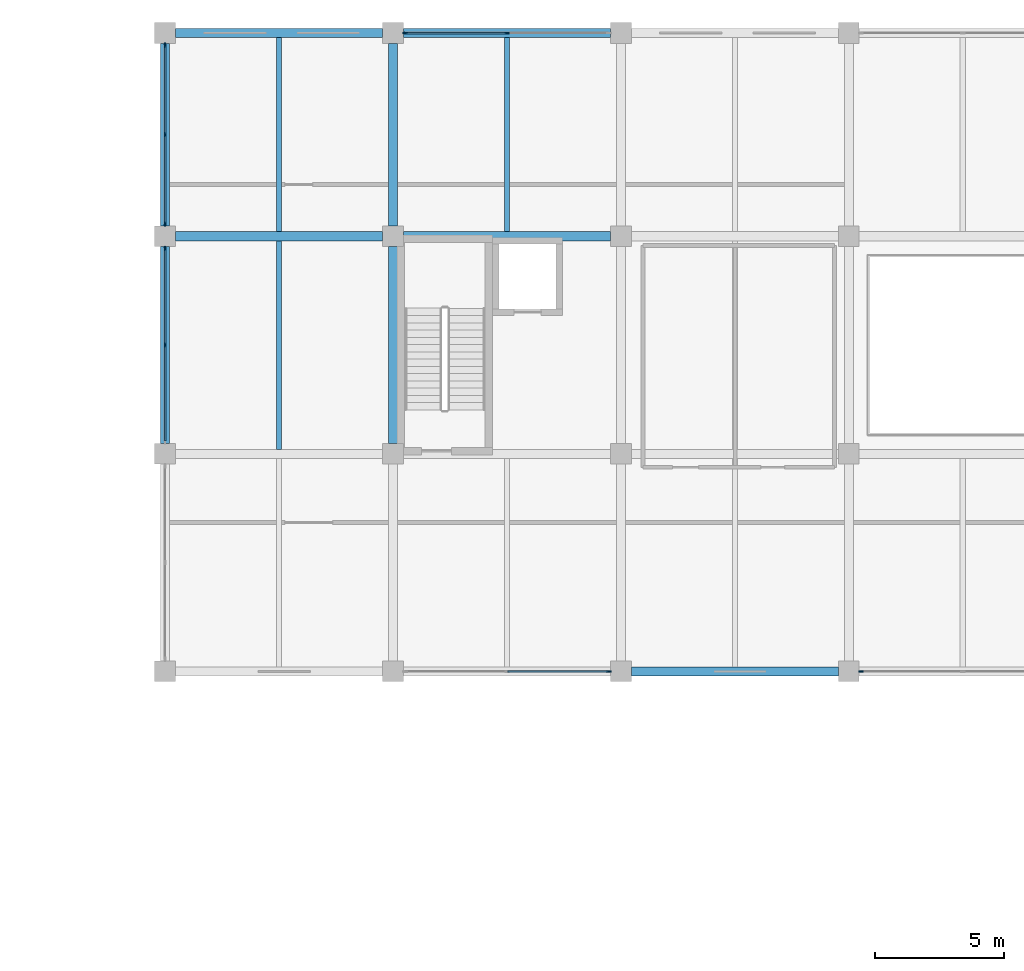
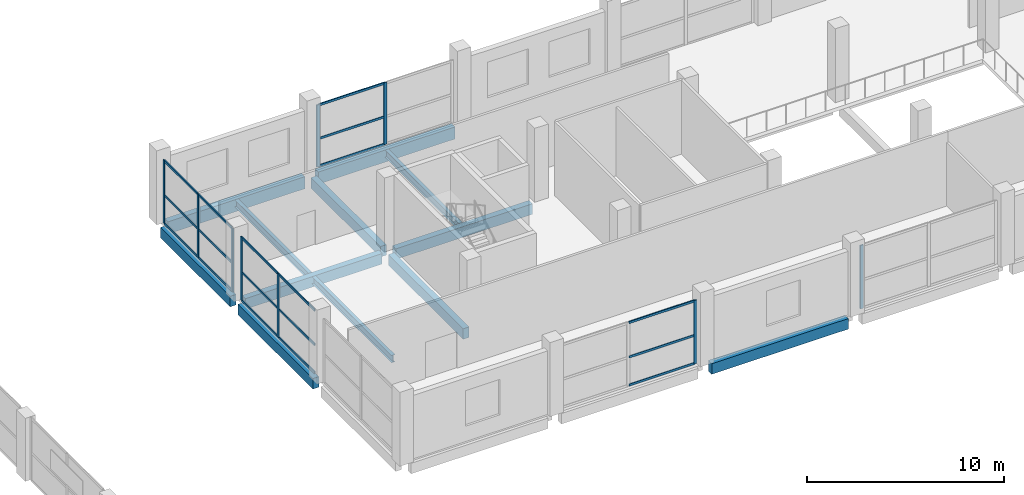
# One storey, part 7 of 31: 27 members, 12 beams, 5 elements without a shape of their own.
"""IFC4 building model written with IfcOpenShell, lengths in metres."""

from ifc_helpers import new_model, si_unit, direction, frame, origin, origin_2d, place, context, subcontext, project, spatial, rectangle, i_section, extrude, material, material_profile, profile_set, type_object, element, aggregate, save


model = new_model("IFC4")

# Units and contexts
model_context = context("Model", 3, precision=1e-05, world=origin(), true_north=direction((0.0, 1.0)))
body_context = subcontext(model_context, "Body", "Model", "MODEL_VIEW")
ifc_project = project(units=[si_unit("LENGTHUNIT", "METRE"), si_unit("AREAUNIT", "SQUARE_METRE"), si_unit("VOLUMEUNIT", "CUBIC_METRE"), si_unit("PLANEANGLEUNIT", "RADIAN"), si_unit("MASSUNIT", "GRAM", prefix="KILO")], contexts=[model_context])

# Site, building, storey
site_placement = place(None, origin())
site = spatial("IfcSite", under=ifc_project, at=site_placement, CompositionType="ELEMENT")
building_placement = place(site_placement, origin())
building = spatial("IfcBuilding", under=site, at=building_placement, Name="Brinegate Botanical Conservatory", CompositionType="ELEMENT")
storey_placement = place(building_placement, frame((0.0, 0.0, 5.39990234375)))
storey = spatial("IfcBuildingStorey", under=building, at=storey_placement, Name="L02", CompositionType="ELEMENT", Elevation=5.39990234375)

# Beams
ifc_material_1 = material(Name="Concrete C40/50", Category="concrete")
ifc_material_profile_1 = material_profile(ifc_material_1, rectangle(XDim=0.35009765625, YDim=0.64990234375, at=origin_2d()), Name="RC BM 350x650")
ifc_profile_set_1 = profile_set([ifc_material_profile_1], Name="Concrete C40/50")
beam_type_1 = type_object("IfcBeamType", Name="Beam_BM-V3", PredefinedType="BEAM", material=ifc_profile_set_1)
for number, where, z_axis, x_axis, name in (
    (1, (68.800048828125, 86.800048828125, -0.544921875), (1.0, 0.0, 0.0), (0.0, 1.0, 0.0), "Beam BM-V3 L02 L:9-10"),
    (2, (51.199951171875, 103.60009765625, -0.544921875), (1.0, 0.0, 0.0), (0.0, 1.0, 0.0), "Beam BM-V3 L02 N:7-8"),
    (3, (60.0, 103.60009765625, -0.544921875), (1.0, 0.0, 0.0), (0.0, 1.0, 0.0), "Beam BM-V3 L02 N:8-9"),
):
    element("IfcBeam", number, at=place(storey_placement, frame(where, z_axis=z_axis, x_axis=x_axis)), inside=storey, type_object=beam_type_1, Name=name, PredefinedType="BEAM", context=body_context, shape_type="SweptSolid", body=[
        extrude(rectangle(XDim=0.35009765625, YDim=0.64990234375, at=origin_2d()), origin(), (0.0, 0.0, 1.0), 8.0),
    ])
beam_1_placement = place(storey_placement, frame((50.800048828125, 95.60009765625, -0.544921875), z_axis=(0.0, 1.0, 0.0), x_axis=(-1.0, 0.0, 0.0)))
element("IfcBeam", 4, at=beam_1_placement, inside=storey, type_object=beam_type_1, Name="Beam BM-V3 L02 7:M-N", PredefinedType="BEAM", context=body_context, shape_type="SweptSolid", body=[
    extrude(rectangle(XDim=0.35009765625, YDim=0.64990234375, at=origin_2d()), origin(), (0.0, 0.0, 1.0), 7.599853515625),
])
beam_2_placement = place(storey_placement, frame((50.800048828125, 104.0, -0.544921875), z_axis=(0.0, 1.0, 0.0), x_axis=(-1.0, 0.0, 0.0)))
element("IfcBeam", 5, at=beam_2_placement, inside=storey, type_object=beam_type_1, Name="Beam BM-V3 L02 7:N-P", PredefinedType="BEAM", context=body_context, shape_type="SweptSolid", body=[
    extrude(rectangle(XDim=0.35009765625, YDim=0.64990234375, at=origin_2d()), origin(), (0.0, 0.0, 1.0), 7.050048828125),
])
beam_3_placement = place(storey_placement, frame((59.60009765625, 95.60009765625, -0.544921875), z_axis=(0.0, 1.0, 0.0), x_axis=(-1.0, 0.0, 0.0)))
element("IfcBeam", 6, at=beam_3_placement, inside=storey, type_object=beam_type_1, Name="Beam BM-V3 L02 8:M-N", PredefinedType="BEAM", context=body_context, shape_type="SweptSolid", body=[
    extrude(rectangle(XDim=0.35009765625, YDim=0.64990234375, at=origin_2d()), origin(), (0.0, 0.0, 1.0), 7.599853515625),
])
beam_4_placement = place(storey_placement, frame((59.60009765625, 104.0, -0.544921875), z_axis=(0.0, 1.0, 0.0), x_axis=(-1.0, 0.0, 0.0)))
element("IfcBeam", 7, at=beam_4_placement, inside=storey, type_object=beam_type_1, Name="Beam BM-V3 L02 8:N-P", PredefinedType="BEAM", context=body_context, shape_type="SweptSolid", body=[
    extrude(rectangle(XDim=0.35009765625, YDim=0.64990234375, at=origin_2d()), origin(), (0.0, 0.0, 1.0), 7.050048828125),
])
ifc_material_2 = material(Name="Structural steel Q355B / S355", Category="steel")
ifc_material_profile_2 = material_profile(ifc_material_2, i_section(OverallWidth=0.199951171875, OverallDepth=0.449951171875, WebThickness=0.009033203125, FlangeThickness=0.013916015625, at=origin_2d()), Name="HN 450x200x9x14")
ifc_profile_set_2 = profile_set([ifc_material_profile_2], Name="Structural steel Q355B / S355")
beam_type_2 = type_object("IfcBeamType", Name="Beam_JS-S1", PredefinedType="JOIST", material=ifc_profile_set_2)
beam_5_placement = place(storey_placement, frame((55.199951171875, 95.375, -0.44482421875), z_axis=(0.0, 1.0, 0.0), x_axis=(-1.0, 0.0, 0.0)))
element("IfcBeam", 8, at=beam_5_placement, inside=storey, type_object=beam_type_2, Name="Floor joist JS-S1 L02 bay 7.12", PredefinedType="JOIST", context=body_context, shape_type="SweptSolid", body=[
    extrude(i_section(OverallWidth=0.199951171875, OverallDepth=0.449951171875, WebThickness=0.009033203125, FlangeThickness=0.013916015625, at=origin_2d()), origin(), (0.0, 0.0, 1.0), 8.050048828125),
])
for number, where, z_axis, x_axis, name in (
    (9, (55.199951171875, 103.77490234375, -0.44482421875), (0.0, 1.0, 0.0), (-1.0, 0.0, 0.0), "Floor joist JS-S1 L02 bay 7.13"),
    (10, (64.0, 103.77490234375, -0.44482421875), (0.0, 1.0, 0.0), (-1.0, 0.0, 0.0), "Floor joist JS-S1 L02 bay 8.13"),
):
    element("IfcBeam", number, at=place(storey_placement, frame(where, z_axis=z_axis, x_axis=x_axis)), inside=storey, type_object=beam_type_2, Name=name, PredefinedType="JOIST", context=body_context, shape_type="SweptSolid", body=[
        extrude(i_section(OverallWidth=0.199951171875, OverallDepth=0.449951171875, WebThickness=0.009033203125, FlangeThickness=0.013916015625, at=origin_2d()), origin(), (0.0, 0.0, 1.0), 7.5),
    ])
ifc_material_profile_3 = material_profile(ifc_material_1, rectangle(XDim=0.35009765625, YDim=0.75, at=origin_2d()), Name="RC SPN 350x750")
ifc_profile_set_3 = profile_set([ifc_material_profile_3], Name="Concrete C40/50")
beam_type_3 = type_object("IfcBeamType", Name="Beam_SP-01", PredefinedType="SPANDREL", material=ifc_profile_set_3)
for number, where, z_axis, x_axis, name in (
    (11, (51.199951171875, 111.449951171875, -0.594970703125), (1.0, 0.0, 0.0), (0.0, 1.0, 0.0), "Beam SP-01 L02 P:7-8"),
    (12, (60.0, 111.449951171875, -0.594970703125), (1.0, 0.0, 0.0), (0.0, 1.0, 0.0), "Beam SP-01 L02 P:8-9"),
):
    element("IfcBeam", number, at=place(storey_placement, frame(where, z_axis=z_axis, x_axis=x_axis)), inside=storey, type_object=beam_type_3, Name=name, PredefinedType="SPANDREL", context=body_context, shape_type="SweptSolid", body=[
        extrude(rectangle(XDim=0.35009765625, YDim=0.75, at=origin_2d()), origin(), (0.0, 0.0, 1.0), 8.0),
    ])

# Curtain wall, members
ifc_material_3 = material(Name="Thermally broken anodised aluminium AW-6063-T6", Category="aluminium")
curtain_wall_type = type_object("IfcCurtainWallType", Name="CW_CW-V3", PredefinedType="USERDEFINED", material=ifc_material_3)
curtain_wall_1_placement = place(storey_placement, origin())
curtain_wall_1 = element("IfcCurtainWall", 13, at=curtain_wall_1_placement, inside=storey, type_object=curtain_wall_type, Name="Visitor north factory curtain wall L02.2", ObjectType="FACTORY CURTAIN WALL", PredefinedType="USERDEFINED")
ifc_material_profile_4 = material_profile(ifc_material_3, rectangle(XDim=0.06494140625, YDim=0.179931640625, at=origin_2d()), Name="ALUM MULLION 65x180")
ifc_profile_set_4 = profile_set([ifc_material_profile_4], Name="Thermally broken anodised aluminium AW-6063-T6")
member_type_1 = type_object("IfcMemberType", Name="Member_ML-02", PredefinedType="MULLION", material=ifc_profile_set_4)
member_1_placement = place(storey_placement, frame((60.072509765625, 111.449951171875, 0.0), z_axis=(0.0, 0.0, 1.0), x_axis=(0.0, 1.0, 0.0)))
member_1 = element("IfcMember", 14, at=member_1_placement, type_object=member_type_1, Name="CW-V3 mullion 1", PredefinedType="MULLION", context=body_context, shape_type="SweptSolid", body=[
    extrude(rectangle(XDim=0.06494140625, YDim=0.179931640625, at=origin_2d()), origin(), (0.0, 0.0, 1.0), 3.830078125),
])
member_2_placement = place(storey_placement, frame((64.0, 111.449951171875, 0.0), z_axis=(0.0, 0.0, 1.0), x_axis=(0.0, 1.0, 0.0)))
member_2 = element("IfcMember", 15, at=member_2_placement, type_object=member_type_1, Name="CW-V3 mullion 2", PredefinedType="MULLION", context=body_context, shape_type="SweptSolid", body=[
    extrude(rectangle(XDim=0.06494140625, YDim=0.179931640625, at=origin_2d()), origin(), (0.0, 0.0, 1.0), 3.830078125),
])

# Curtain wall, member
curtain_wall_2_placement = place(storey_placement, origin())
curtain_wall_2 = element("IfcCurtainWall", 16, at=curtain_wall_2_placement, inside=storey, type_object=curtain_wall_type, Name="Visitor south court curtain wall L02.2", ObjectType="FACTORY CURTAIN WALL", PredefinedType="USERDEFINED")
member_3_placement = place(storey_placement, frame((67.927490234375, 86.800048828125, 0.0), z_axis=(0.0, 0.0, 1.0), x_axis=(0.0, -1.0, 0.0)))
member_3 = element("IfcMember", 17, at=member_3_placement, type_object=member_type_1, Name="CW-V3 mullion 1", PredefinedType="MULLION", context=body_context, shape_type="SweptSolid", body=[
    extrude(rectangle(XDim=0.06494140625, YDim=0.179931640625, at=origin_2d()), origin(), (0.0, 0.0, 1.0), 3.93017578125),
])

curtain_wall_3_placement = place(storey_placement, origin())
curtain_wall_3 = element("IfcCurtainWall", 18, at=curtain_wall_3_placement, inside=storey, type_object=curtain_wall_type, Name="Visitor south court curtain wall L02.4", ObjectType="FACTORY CURTAIN WALL", PredefinedType="USERDEFINED")
member_4_placement = place(storey_placement, frame((77.672607421875, 86.800048828125, 0.0), z_axis=(0.0, 0.0, 1.0), x_axis=(0.0, -1.0, 0.0)))
member_4 = element("IfcMember", 19, at=member_4_placement, type_object=member_type_1, Name="CW-V3 mullion 3", PredefinedType="MULLION", context=body_context, shape_type="SweptSolid", body=[
    extrude(rectangle(XDim=0.06494140625, YDim=0.179931640625, at=origin_2d()), origin(), (0.0, 0.0, 1.0), 3.93017578125),
])
aggregate(curtain_wall_3, [member_4])

# Curtain wall, members
curtain_wall_4_placement = place(storey_placement, origin())
curtain_wall_4 = element("IfcCurtainWall", 20, at=curtain_wall_4_placement, inside=storey, type_object=curtain_wall_type, Name="Visitor west forecourt curtain wall L02.2", ObjectType="FACTORY CURTAIN WALL", PredefinedType="USERDEFINED")
member_5_placement = place(storey_placement, frame((50.800048828125, 99.39990234375, 0.0), z_axis=(0.0, 0.0, 1.0), x_axis=(-1.0, 0.0, 0.0)))
member_5 = element("IfcMember", 21, at=member_5_placement, type_object=member_type_1, Name="CW-V3 mullion 2", PredefinedType="MULLION", context=body_context, shape_type="SweptSolid", body=[
    extrude(rectangle(XDim=0.06494140625, YDim=0.179931640625, at=origin_2d()), origin(), (0.0, 0.0, 1.0), 3.93017578125),
])
member_6_placement = place(storey_placement, frame((50.800048828125, 103.12744140625, 0.0), z_axis=(0.0, 0.0, 1.0), x_axis=(-1.0, 0.0, 0.0)))
member_6 = element("IfcMember", 22, at=member_6_placement, type_object=member_type_1, Name="CW-V3 mullion 3", PredefinedType="MULLION", context=body_context, shape_type="SweptSolid", body=[
    extrude(rectangle(XDim=0.06494140625, YDim=0.179931640625, at=origin_2d()), origin(), (0.0, 0.0, 1.0), 3.93017578125),
])

curtain_wall_5_placement = place(storey_placement, origin())
curtain_wall_5 = element("IfcCurtainWall", 23, at=curtain_wall_5_placement, inside=storey, type_object=curtain_wall_type, Name="Visitor west forecourt curtain wall L02.3", ObjectType="FACTORY CURTAIN WALL", PredefinedType="USERDEFINED")
member_7_placement = place(storey_placement, frame((50.800048828125, 104.072509765625, 0.0), z_axis=(0.0, 0.0, 1.0), x_axis=(-1.0, 0.0, 0.0)))
member_7 = element("IfcMember", 24, at=member_7_placement, type_object=member_type_1, Name="CW-V3 mullion 1", PredefinedType="MULLION", context=body_context, shape_type="SweptSolid", body=[
    extrude(rectangle(XDim=0.06494140625, YDim=0.179931640625, at=origin_2d()), origin(), (0.0, 0.0, 1.0), 3.93017578125),
])
member_8_placement = place(storey_placement, frame((50.800048828125, 107.52490234375, 0.0), z_axis=(0.0, 0.0, 1.0), x_axis=(-1.0, 0.0, 0.0)))
member_8 = element("IfcMember", 25, at=member_8_placement, type_object=member_type_1, Name="CW-V3 mullion 2", PredefinedType="MULLION", context=body_context, shape_type="SweptSolid", body=[
    extrude(rectangle(XDim=0.06494140625, YDim=0.179931640625, at=origin_2d()), origin(), (0.0, 0.0, 1.0), 3.93017578125),
])
member_9_placement = place(storey_placement, frame((50.800048828125, 110.9775390625, 0.0), z_axis=(0.0, 0.0, 1.0), x_axis=(-1.0, 0.0, 0.0)))
member_9 = element("IfcMember", 26, at=member_9_placement, type_object=member_type_1, Name="CW-V3 mullion 3", PredefinedType="MULLION", context=body_context, shape_type="SweptSolid", body=[
    extrude(rectangle(XDim=0.06494140625, YDim=0.179931640625, at=origin_2d()), origin(), (0.0, 0.0, 1.0), 3.93017578125),
])

# Member
ifc_material_profile_5 = material_profile(ifc_material_3, rectangle(XDim=0.06494140625, YDim=0.135009765625, at=origin_2d()), Name="ALUM TRANSOM 65x135")
ifc_profile_set_5 = profile_set([ifc_material_profile_5], Name="Thermally broken anodised aluminium AW-6063-T6")
member_type_2 = type_object("IfcMemberType", Name="Member_TR-02", PredefinedType="USERDEFINED", material=ifc_profile_set_5)
member_10_placement = place(storey_placement, frame((60.10498046875, 111.449951171875, 0.03271484375), z_axis=(1.0, 0.0, 0.0), x_axis=(0.0, 1.0, 0.0)))
member_10 = element("IfcMember", 27, at=member_10_placement, type_object=member_type_2, Name="CW-V3 transom 1.1", ObjectType="TRANSOM", PredefinedType="USERDEFINED", context=body_context, shape_type="SweptSolid", body=[
    extrude(rectangle(XDim=0.06494140625, YDim=0.135009765625, at=origin_2d()), origin(), (0.0, 0.0, 1.0), 3.862548828125),
])

member_11_placement = place(storey_placement, frame((60.10498046875, 111.449951171875, 1.72314453125), z_axis=(1.0, 0.0, 0.0), x_axis=(0.0, 1.0, 0.0)))
member_11 = element("IfcMember", 28, at=member_11_placement, type_object=member_type_2, Name="CW-V3 transom 1.2", ObjectType="TRANSOM", PredefinedType="USERDEFINED", context=body_context, shape_type="SweptSolid", body=[
    extrude(rectangle(XDim=0.06494140625, YDim=0.135009765625, at=origin_2d()), origin(), (0.0, 0.0, 1.0), 3.862548828125),
])

member_12_placement = place(storey_placement, frame((60.10498046875, 111.449951171875, 3.797607421875), z_axis=(1.0, 0.0, 0.0), x_axis=(0.0, 1.0, 0.0)))
member_12 = element("IfcMember", 29, at=member_12_placement, type_object=member_type_2, Name="CW-V3 transom 1.3", ObjectType="TRANSOM", PredefinedType="USERDEFINED", context=body_context, shape_type="SweptSolid", body=[
    extrude(rectangle(XDim=0.06494140625, YDim=0.135009765625, at=origin_2d()), origin(), (0.0, 0.0, 1.0), 3.862548828125),
])

aggregate(curtain_wall_1, [member_1, member_2, member_10, member_11, member_12])

member_13_placement = place(storey_placement, frame((67.89501953125, 86.800048828125, 0.03271484375), z_axis=(-1.0, 0.0, 0.0), x_axis=(0.0, -1.0, 0.0)))
member_13 = element("IfcMember", 30, at=member_13_placement, type_object=member_type_2, Name="CW-V3 transom 1.1", ObjectType="TRANSOM", PredefinedType="USERDEFINED", context=body_context, shape_type="SweptSolid", body=[
    extrude(rectangle(XDim=0.06494140625, YDim=0.135009765625, at=origin_2d()), origin(), (0.0, 0.0, 1.0), 3.862548828125),
])

member_14_placement = place(storey_placement, frame((67.89501953125, 86.800048828125, 1.76806640625), z_axis=(-1.0, 0.0, 0.0), x_axis=(0.0, -1.0, 0.0)))
member_14 = element("IfcMember", 31, at=member_14_placement, type_object=member_type_2, Name="CW-V3 transom 1.2", ObjectType="TRANSOM", PredefinedType="USERDEFINED", context=body_context, shape_type="SweptSolid", body=[
    extrude(rectangle(XDim=0.06494140625, YDim=0.135009765625, at=origin_2d()), origin(), (0.0, 0.0, 1.0), 3.862548828125),
])

member_15_placement = place(storey_placement, frame((67.89501953125, 86.800048828125, 3.897705078125), z_axis=(-1.0, 0.0, 0.0), x_axis=(0.0, -1.0, 0.0)))
member_15 = element("IfcMember", 32, at=member_15_placement, type_object=member_type_2, Name="CW-V3 transom 1.3", ObjectType="TRANSOM", PredefinedType="USERDEFINED", context=body_context, shape_type="SweptSolid", body=[
    extrude(rectangle(XDim=0.06494140625, YDim=0.135009765625, at=origin_2d()), origin(), (0.0, 0.0, 1.0), 3.862548828125),
])

aggregate(curtain_wall_2, [member_3, member_13, member_14, member_15])

member_16_placement = place(storey_placement, frame((50.800048828125, 95.705078125, 0.03271484375), z_axis=(0.0, 1.0, 0.0), x_axis=(-1.0, 0.0, 0.0)))
member_16 = element("IfcMember", 33, at=member_16_placement, type_object=member_type_2, Name="CW-V3 transom 1.1", ObjectType="TRANSOM", PredefinedType="USERDEFINED", context=body_context, shape_type="SweptSolid", body=[
    extrude(rectangle(XDim=0.06494140625, YDim=0.135009765625, at=origin_2d()), origin(), (0.0, 0.0, 1.0), 3.662353515625),
])

member_17_placement = place(storey_placement, frame((50.800048828125, 95.705078125, 1.76806640625), z_axis=(0.0, 1.0, 0.0), x_axis=(-1.0, 0.0, 0.0)))
member_17 = element("IfcMember", 34, at=member_17_placement, type_object=member_type_2, Name="CW-V3 transom 1.2", ObjectType="TRANSOM", PredefinedType="USERDEFINED", context=body_context, shape_type="SweptSolid", body=[
    extrude(rectangle(XDim=0.06494140625, YDim=0.135009765625, at=origin_2d()), origin(), (0.0, 0.0, 1.0), 3.662353515625),
])

member_18_placement = place(storey_placement, frame((50.800048828125, 95.705078125, 3.897705078125), z_axis=(0.0, 1.0, 0.0), x_axis=(-1.0, 0.0, 0.0)))
member_18 = element("IfcMember", 35, at=member_18_placement, type_object=member_type_2, Name="CW-V3 transom 1.3", ObjectType="TRANSOM", PredefinedType="USERDEFINED", context=body_context, shape_type="SweptSolid", body=[
    extrude(rectangle(XDim=0.06494140625, YDim=0.135009765625, at=origin_2d()), origin(), (0.0, 0.0, 1.0), 3.662353515625),
])

member_19_placement = place(storey_placement, frame((50.800048828125, 99.4326171875, 0.03271484375), z_axis=(0.0, 1.0, 0.0), x_axis=(-1.0, 0.0, 0.0)))
member_19 = element("IfcMember", 36, at=member_19_placement, type_object=member_type_2, Name="CW-V3 transom 2.1", ObjectType="TRANSOM", PredefinedType="USERDEFINED", context=body_context, shape_type="SweptSolid", body=[
    extrude(rectangle(XDim=0.06494140625, YDim=0.135009765625, at=origin_2d()), origin(), (0.0, 0.0, 1.0), 3.662353515625),
])

member_20_placement = place(storey_placement, frame((50.800048828125, 99.4326171875, 1.76806640625), z_axis=(0.0, 1.0, 0.0), x_axis=(-1.0, 0.0, 0.0)))
member_20 = element("IfcMember", 37, at=member_20_placement, type_object=member_type_2, Name="CW-V3 transom 2.2", ObjectType="TRANSOM", PredefinedType="USERDEFINED", context=body_context, shape_type="SweptSolid", body=[
    extrude(rectangle(XDim=0.06494140625, YDim=0.135009765625, at=origin_2d()), origin(), (0.0, 0.0, 1.0), 3.662353515625),
])

member_21_placement = place(storey_placement, frame((50.800048828125, 99.4326171875, 3.897705078125), z_axis=(0.0, 1.0, 0.0), x_axis=(-1.0, 0.0, 0.0)))
member_21 = element("IfcMember", 38, at=member_21_placement, type_object=member_type_2, Name="CW-V3 transom 2.3", ObjectType="TRANSOM", PredefinedType="USERDEFINED", context=body_context, shape_type="SweptSolid", body=[
    extrude(rectangle(XDim=0.06494140625, YDim=0.135009765625, at=origin_2d()), origin(), (0.0, 0.0, 1.0), 3.662353515625),
])

aggregate(curtain_wall_4, [member_5, member_6, member_16, member_17, member_18, member_19, member_20, member_21])

member_22_placement = place(storey_placement, frame((50.800048828125, 104.10498046875, 0.03271484375), z_axis=(0.0, 1.0, 0.0), x_axis=(-1.0, 0.0, 0.0)))
member_22 = element("IfcMember", 39, at=member_22_placement, type_object=member_type_2, Name="CW-V3 transom 1.1", ObjectType="TRANSOM", PredefinedType="USERDEFINED", context=body_context, shape_type="SweptSolid", body=[
    extrude(rectangle(XDim=0.06494140625, YDim=0.135009765625, at=origin_2d()), origin(), (0.0, 0.0, 1.0), 3.387451171875),
])

member_23_placement = place(storey_placement, frame((50.800048828125, 104.10498046875, 1.76806640625), z_axis=(0.0, 1.0, 0.0), x_axis=(-1.0, 0.0, 0.0)))
member_23 = element("IfcMember", 40, at=member_23_placement, type_object=member_type_2, Name="CW-V3 transom 1.2", ObjectType="TRANSOM", PredefinedType="USERDEFINED", context=body_context, shape_type="SweptSolid", body=[
    extrude(rectangle(XDim=0.06494140625, YDim=0.135009765625, at=origin_2d()), origin(), (0.0, 0.0, 1.0), 3.387451171875),
])

member_24_placement = place(storey_placement, frame((50.800048828125, 104.10498046875, 3.897705078125), z_axis=(0.0, 1.0, 0.0), x_axis=(-1.0, 0.0, 0.0)))
member_24 = element("IfcMember", 41, at=member_24_placement, type_object=member_type_2, Name="CW-V3 transom 1.3", ObjectType="TRANSOM", PredefinedType="USERDEFINED", context=body_context, shape_type="SweptSolid", body=[
    extrude(rectangle(XDim=0.06494140625, YDim=0.135009765625, at=origin_2d()), origin(), (0.0, 0.0, 1.0), 3.387451171875),
])

member_25_placement = place(storey_placement, frame((50.800048828125, 107.5576171875, 0.03271484375), z_axis=(0.0, 1.0, 0.0), x_axis=(-1.0, 0.0, 0.0)))
member_25 = element("IfcMember", 42, at=member_25_placement, type_object=member_type_2, Name="CW-V3 transom 2.1", ObjectType="TRANSOM", PredefinedType="USERDEFINED", context=body_context, shape_type="SweptSolid", body=[
    extrude(rectangle(XDim=0.06494140625, YDim=0.135009765625, at=origin_2d()), origin(), (0.0, 0.0, 1.0), 3.387451171875),
])

member_26_placement = place(storey_placement, frame((50.800048828125, 107.5576171875, 1.76806640625), z_axis=(0.0, 1.0, 0.0), x_axis=(-1.0, 0.0, 0.0)))
member_26 = element("IfcMember", 43, at=member_26_placement, type_object=member_type_2, Name="CW-V3 transom 2.2", ObjectType="TRANSOM", PredefinedType="USERDEFINED", context=body_context, shape_type="SweptSolid", body=[
    extrude(rectangle(XDim=0.06494140625, YDim=0.135009765625, at=origin_2d()), origin(), (0.0, 0.0, 1.0), 3.387451171875),
])

member_27_placement = place(storey_placement, frame((50.800048828125, 107.5576171875, 3.897705078125), z_axis=(0.0, 1.0, 0.0), x_axis=(-1.0, 0.0, 0.0)))
member_27 = element("IfcMember", 44, at=member_27_placement, type_object=member_type_2, Name="CW-V3 transom 2.3", ObjectType="TRANSOM", PredefinedType="USERDEFINED", context=body_context, shape_type="SweptSolid", body=[
    extrude(rectangle(XDim=0.06494140625, YDim=0.135009765625, at=origin_2d()), origin(), (0.0, 0.0, 1.0), 3.387451171875),
])

aggregate(curtain_wall_5, [member_7, member_8, member_9, member_22, member_23, member_24, member_25, member_26, member_27])

save(model, "model.ifc")
